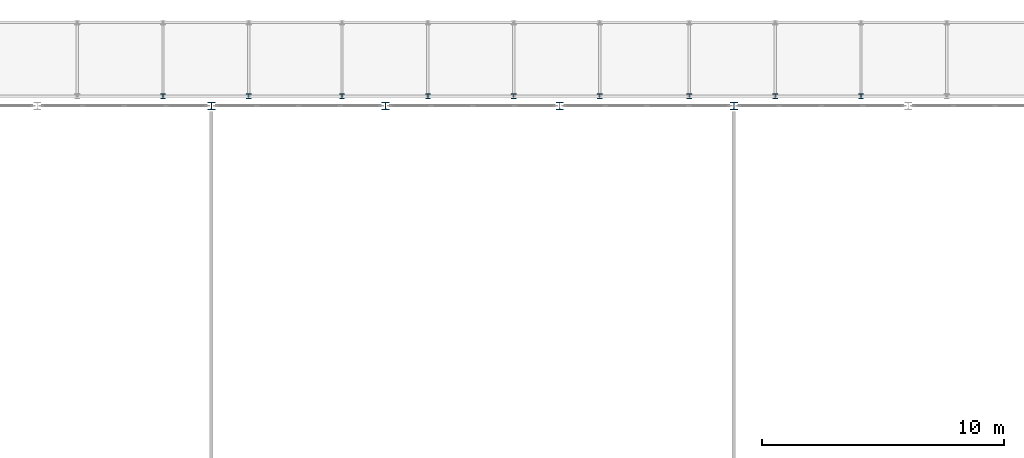
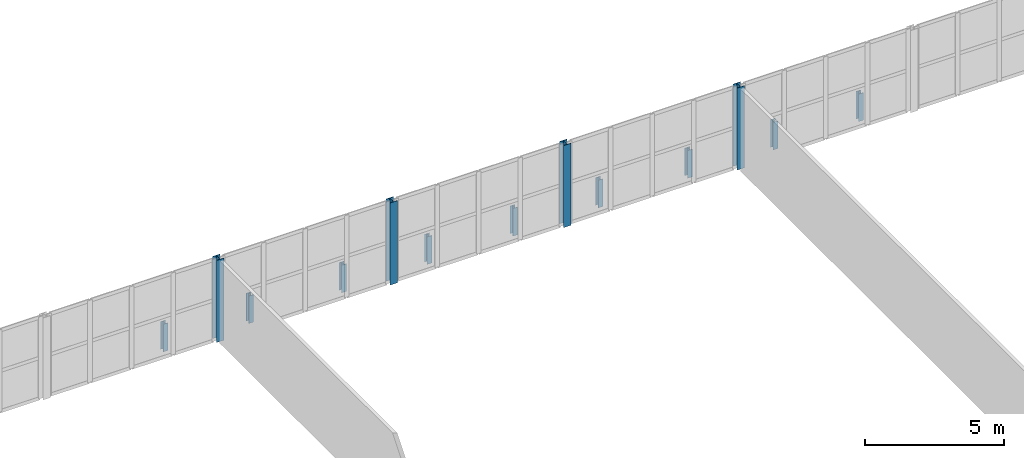
# One storey, part 21 of 124: 13 columns.
"""IFC4 building model written with IfcOpenShell, lengths in metres."""

from ifc_helpers import new_model, si_unit, direction, frame, origin, origin_2d, place, context, subcontext, project, spatial, i_section, extrude, material, material_profile, profile_set, type_object, element, save


model = new_model("IFC4")

# Units and contexts
model_context = context("Model", 3, precision=1e-05, world=origin(), true_north=direction((0.0, 1.0)))
body_context = subcontext(model_context, "Body", "Model", "MODEL_VIEW")
ifc_project = project(units=[si_unit("LENGTHUNIT", "METRE"), si_unit("AREAUNIT", "SQUARE_METRE"), si_unit("VOLUMEUNIT", "CUBIC_METRE"), si_unit("PLANEANGLEUNIT", "RADIAN"), si_unit("MASSUNIT", "GRAM", prefix="KILO")], contexts=[model_context])

# Site, building, storey
site_placement = place(None, origin())
site = spatial("IfcSite", under=ifc_project, at=site_placement, CompositionType="ELEMENT")
building_placement = place(site_placement, origin())
building = spatial("IfcBuilding", under=site, at=building_placement, Name="Kupolbacken Congress Centre", CompositionType="ELEMENT")
storey_placement = place(building_placement, frame((0.0, 0.0, 10.800048828125)))
storey = spatial("IfcBuildingStorey", under=building, at=storey_placement, Name="L03", CompositionType="ELEMENT", Elevation=10.800048828125)

# Columns
ifc_material_1 = material(Name="Steel S355", Category="steel")
ifc_material_profile_1 = material_profile(ifc_material_1, i_section(OverallWidth=0.300048828125, OverallDepth=0.300048828125, WebThickness=0.010986328125, FlangeThickness=0.01904296875, FilletRadius=0.027099609375, at=origin_2d()), Name="HEB 300")
ifc_profile_set_1 = profile_set([ifc_material_profile_1], Name="Steel S355")
column_type_1 = type_object("IfcColumnType", Name="C06 column HEB 300", PredefinedType="COLUMN", material=ifc_profile_set_1)
for number, where, z_axis, x_axis, name in (
    (1, (165.60009765625, 151.199951171875, 0.0), (0.0, 0.0, 1.0), (1.0, 0.0, 0.0), "S/col/C-B-B3N/L03"),
    (2, (172.800048828125, 151.199951171875, 0.0), (0.0, 0.0, 1.0), (1.0, 0.0, 0.0), "S/col/C-B-B4N/L03"),
    (3, (180.0, 151.199951171875, 0.0), (0.0, 0.0, 1.0), (1.0, 0.0, 0.0), "S/col/C-B-B5N/L03"),
    (4, (187.199951171875, 151.199951171875, 0.0), (0.0, 0.0, 1.0), (1.0, 0.0, 0.0), "S/col/C-B-B6N/L03"),
):
    element("IfcColumn", number, at=place(storey_placement, frame(where, z_axis=z_axis, x_axis=x_axis)), inside=storey, type_object=column_type_1, Name=name, PredefinedType="COLUMN", context=body_context, shape_type="SweptSolid", body=[
        extrude(i_section(OverallWidth=0.300048828125, OverallDepth=0.300048828125, WebThickness=0.010986328125, FlangeThickness=0.01904296875, FilletRadius=0.027099609375, at=origin_2d()), origin(), (0.0, 0.0, 1.0), 3.599853515625),
    ])
ifc_material_2 = material(Name="Steel S355", Category="steel")
ifc_material_profile_2 = material_profile(ifc_material_2, i_section(OverallWidth=0.199951171875, OverallDepth=0.199951171875, WebThickness=0.009033203125, FlangeThickness=0.014892578125, FilletRadius=0.01806640625, at=origin_2d()), Name="HEB 200")
ifc_profile_set_2 = profile_set([ifc_material_profile_2], Name="Steel S355")
column_type_2 = type_object("IfcColumnType", Name="C11 column HEB 200", PredefinedType="COLUMN", material=ifc_profile_set_2)
for number, where, z_axis, x_axis, name in (
    (5, (163.60009765625, 151.60009765625, 0.0), (0.0, 0.0, 1.0), (1.0, 0.0, 0.0), "Covered passage column"),
    (6, (167.14990234375, 151.60009765625, 0.0), (0.0, 0.0, 1.0), (1.0, 0.0, 0.0), "Covered passage column"),
    (7, (171.0, 151.60009765625, 0.0), (0.0, 0.0, 1.0), (1.0, 0.0, 0.0), "Covered passage column"),
    (8, (174.550048828125, 151.60009765625, 0.0), (0.0, 0.0, 1.0), (1.0, 0.0, 0.0), "Covered passage column"),
    (9, (178.10009765625, 151.60009765625, 0.0), (0.0, 0.0, 1.0), (1.0, 0.0, 0.0), "Covered passage column"),
    (10, (181.64990234375, 151.60009765625, 0.0), (0.0, 0.0, 1.0), (1.0, 0.0, 0.0), "Covered passage column"),
    (11, (185.35009765625, 151.60009765625, 0.0), (0.0, 0.0, 1.0), (1.0, 0.0, 0.0), "Covered passage column"),
    (12, (188.89990234375, 151.60009765625, 0.0), (0.0, 0.0, 1.0), (1.0, 0.0, 0.0), "Covered passage column"),
    (13, (192.449951171875, 151.60009765625, 0.0), (0.0, 0.0, 1.0), (1.0, 0.0, 0.0), "Covered passage column"),
):
    element("IfcColumn", number, at=place(storey_placement, frame(where, z_axis=z_axis, x_axis=x_axis)), inside=storey, type_object=column_type_2, Name=name, PredefinedType="COLUMN", context=body_context, shape_type="SweptSolid", body=[
        extrude(i_section(OverallWidth=0.199951171875, OverallDepth=0.199951171875, WebThickness=0.009033203125, FlangeThickness=0.014892578125, FilletRadius=0.01806640625, at=origin_2d()), origin(), (0.0, 0.0, 1.0), 1.2099609375),
    ])

save(model, "model.ifc")
